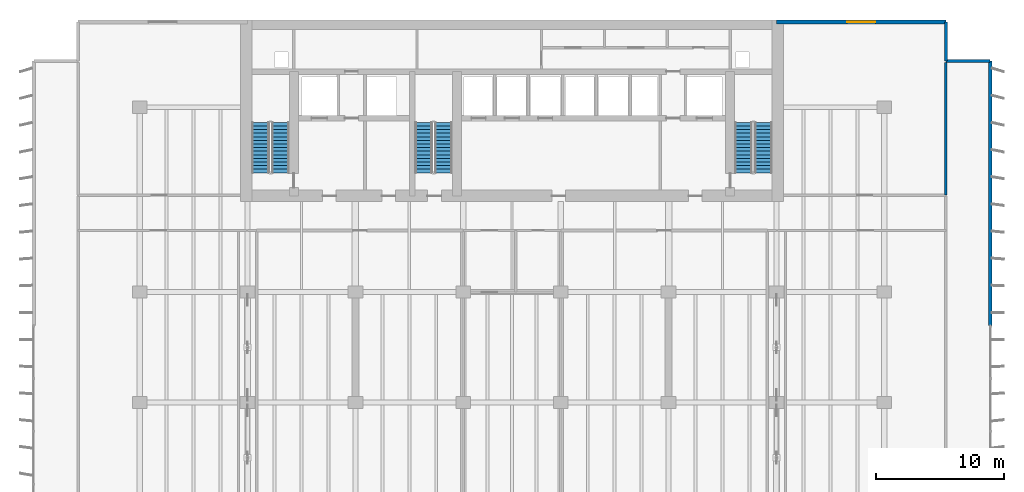
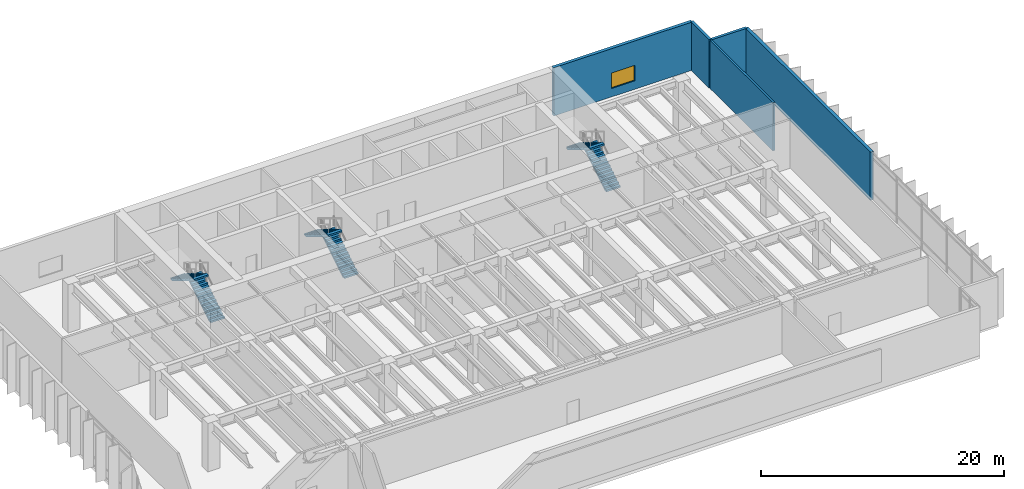
# One storey, part 17 of 21: 6 stair flights, 5 walls, 1 window, 1 opening, 3 elements without a shape of their own.
"""IFC4 building model written with IfcOpenShell, lengths in metres."""

import ifcopenshell
import ifcopenshell.guid

model = None  # the IFC model being written
_history = None  # IfcOwnerHistory: only IFC2X3 demands one
_inside = {}  # id of a spatial element -> (the spatial element, [elements in it])
_under = {}  # id of a project, library or spatial element -> (it, [spatial elements below it])
_declared = {}  # id of a project -> (the project, [libraries it declares])
_typed = {}  # id of a type object -> (the type object, [elements of that type])
_made_of = {}  # id of a material, layer set ... -> (it, [elements and type objects made of it])


def new_model(schema):
    """Start an empty IFC model of exactly this schema.

    Asked for "IFC4X3", IfcOpenShell would pick the latest addendum, in which some entities
    have other attributes; the version numbers below select the first issue.
    IFC2X3 requires an IfcOwnerHistory on every rooted entity: one is made here for all.
    """
    global model, _history
    if schema == "IFC4X3":
        model = ifcopenshell.file(schema_version=(4, 3, 0, 0))
    else:
        model = ifcopenshell.file(schema=schema)
    _inside.clear()
    _under.clear()
    _declared.clear()
    _typed.clear()
    _made_of.clear()
    _history = None
    if model.schema == "IFC2X3":
        org = make("IfcOrganization", Name="unknown")
        user = make(
            "IfcPersonAndOrganization",
            ThePerson=make("IfcPerson", FamilyName="unknown"),
            TheOrganization=org,
        )
        app = make(
            "IfcApplication",
            ApplicationDeveloper=org,
            Version="unknown",
            ApplicationFullName="unknown",
            ApplicationIdentifier="unknown",
        )
        _history = make(
            "IfcOwnerHistory",
            OwningUser=user,
            OwningApplication=app,
            ChangeAction="ADDED",
            CreationDate=0,
        )
    return model


def make(cls, **values):
    """One entity of the class cls with the attributes given. An attribute that is None is left unset."""
    return model.create_entity(
        cls, **{name: value for name, value in values.items() if value is not None}
    )


def rooted(cls, **values):
    """An entity with a GlobalId (a new one), such as an element, a storey or a relation."""
    return make(cls, GlobalId=ifcopenshell.guid.new(), OwnerHistory=_history, **values)


def si_unit(unit_type, name, prefix=None):
    """IfcSIUnit, for example si_unit("LENGTHUNIT", "METRE", prefix="MILLI")."""
    return make("IfcSIUnit", UnitType=unit_type, Prefix=prefix, Name=name)


def assignment(units):
    """IfcUnitAssignment: the units of a project."""
    return None if units is None else make("IfcUnitAssignment", Units=units)


def point(xyz):
    """IfcCartesianPoint."""
    return None if xyz is None else make("IfcCartesianPoint", Coordinates=xyz)


def direction(xyz):
    """IfcDirection."""
    return None if xyz is None else make("IfcDirection", DirectionRatios=xyz)


def frame(location, z_axis=None, x_axis=None):
    """IfcAxis2Placement3D, a coordinate frame: its origin and axes. An axis left out is left unset."""
    return make(
        "IfcAxis2Placement3D",
        Location=point(location),
        Axis=direction(z_axis),
        RefDirection=direction(x_axis),
    )


def frame_2d(location, x_axis=None):
    """IfcAxis2Placement2D, a coordinate frame in the plane: its origin and x axis."""
    return make(
        "IfcAxis2Placement2D", Location=point(location), RefDirection=direction(x_axis)
    )


def origin():
    """The frame at (0, 0, 0) with its axes left unset."""
    return frame((0.0, 0.0, 0.0))


def place(relative_to, where):
    """IfcLocalPlacement: puts the frame where relative to a parent placement (None: the world)."""
    return make(
        "IfcLocalPlacement", PlacementRelTo=relative_to, RelativePlacement=where
    )


def context(
    kind, dimensions, precision=None, world=None, true_north=None, identifier=None
):
    """IfcGeometricRepresentationContext, for example the 3D "Model" context."""
    return make(
        "IfcGeometricRepresentationContext",
        ContextIdentifier=identifier,
        ContextType=kind,
        CoordinateSpaceDimension=dimensions,
        Precision=precision,
        WorldCoordinateSystem=world,
        TrueNorth=true_north,
    )


def subcontext(parent, identifier, kind, view, scale=None):
    """IfcGeometricRepresentationSubContext, for example "Body" below "Model"."""
    return make(
        "IfcGeometricRepresentationSubContext",
        ContextIdentifier=identifier,
        ContextType=kind,
        ParentContext=parent,
        TargetScale=scale,
        TargetView=view,
    )


def project(units=None, contexts=None):
    """IfcProject with its units and contexts."""
    return rooted(
        "IfcProject",
        Name="project",
        RepresentationContexts=contexts,
        UnitsInContext=assignment(units),
    )


def spatial(cls, under=None, at=None, **own):
    """A site, building, storey or space (cls), placed at a placement, below another one or the project."""
    s = rooted(cls, ObjectPlacement=at, **own)
    if under is not None:
        _under.setdefault(under.id(), (under, []))[1].append(s)
    return s


def polyline(points):
    """IfcPolyline through the points."""
    return make("IfcPolyline", Points=[point(p) for p in points])


def profile(cls, at=None, kind="AREA", **sizes):
    """A parametric profile (cls). Its sizes go by their IFC names, for example OverallWidth=200.0."""
    return make(cls, ProfileType=kind, Position=at, **sizes)


def rectangle(**sizes):
    """IfcRectangleProfileDef."""
    return profile("IfcRectangleProfileDef", **sizes)


def outline(outer, holes=None, kind="AREA"):
    """IfcArbitraryClosedProfileDef: a profile drawn as a closed curve; with holes, ...WithVoids."""
    if holes is None:
        return make("IfcArbitraryClosedProfileDef", ProfileType=kind, OuterCurve=outer)
    return make(
        "IfcArbitraryProfileDefWithVoids",
        ProfileType=kind,
        OuterCurve=outer,
        InnerCurves=holes,
    )


def extrude(swept, where, along, depth):
    """IfcExtrudedAreaSolid: the profile swept, set in the frame where, extruded along a direction by depth."""
    return make(
        "IfcExtrudedAreaSolid",
        SweptArea=swept,
        Position=where,
        ExtrudedDirection=direction(along),
        Depth=depth,
    )


def shape(context_of_items, identifier, shape_type, items):
    """IfcShapeRepresentation: the items that make up one representation, for example the "Body"."""
    return make(
        "IfcShapeRepresentation",
        ContextOfItems=context_of_items,
        RepresentationIdentifier=identifier,
        RepresentationType=shape_type,
        Items=items,
    )


def material(Name=None, Category=None):
    """IfcMaterial."""
    return make("IfcMaterial", Name=Name, Category=Category)


def layer(
    of_material, thickness, ventilated=None, Name=None, Category=None, Priority=None
):
    """IfcMaterialLayer: one layer of a wall or slab, of a material (None: an air gap)."""
    return make(
        "IfcMaterialLayer",
        Material=of_material,
        LayerThickness=thickness,
        IsVentilated=ventilated,
        Name=Name,
        Category=Category,
        Priority=Priority,
    )


def layer_set(layers, Name=None):
    """IfcMaterialLayerSet."""
    return make("IfcMaterialLayerSet", MaterialLayers=layers, LayerSetName=Name)


def made_of(thing, what):
    """Note that an element or type object is made of a material, layer set ...; save() writes the relation."""
    if what is not None:
        _made_of.setdefault(what.id(), (what, []))[1].append(thing)
    return thing


def type_object(cls, material=None, **own):
    """A type object (cls), such as IfcWallType, which elements share."""
    return made_of(rooted(cls, **own), material)


def element(
    cls,
    number,
    at=None,
    inside=None,
    cuts=None,
    type_object=None,
    material=None,
    context=None,
    identifier="Body",
    shape_type=None,
    held_by="IfcProductDefinitionShape",
    body=None,
    shapes=None,
    **own,
):
    """One element of the class cls, such as IfcWall. Its Tag is "e" and its number.

    at: its placement. inside: the storey or other place that contains it. cuts: it is an
    opening in that element (IfcRelVoidsElement). A single representation is given by context,
    identifier, shape_type and body (its items); several are given by shapes. held_by: the class
    of the entity that holds the representations. save() writes the other relations.
    """
    e = rooted(cls, Tag="e%d" % number, ObjectPlacement=at, **own)
    if body is not None:
        shapes = [shape(context, identifier, shape_type, body)]
    if shapes is not None:
        e.Representation = make(held_by, Representations=shapes)
    if inside is not None:
        _inside.setdefault(inside.id(), (inside, []))[1].append(e)
    if cuts is not None:
        rooted(
            "IfcRelVoidsElement", RelatingBuildingElement=cuts, RelatedOpeningElement=e
        )
    if type_object is not None:
        _typed.setdefault(type_object.id(), (type_object, []))[1].append(e)
    return made_of(e, material)


def fill(opening, filler):
    """IfcRelFillsElement: the door or window that sits in an opening."""
    return rooted(
        "IfcRelFillsElement",
        RelatingOpeningElement=opening,
        RelatedBuildingElement=filler,
    )


def aggregate(whole, parts):
    """IfcRelAggregates: a whole, such as a stair, and the parts it consists of."""
    return rooted("IfcRelAggregates", RelatingObject=whole, RelatedObjects=parts)


def save(model, path):
    """Write the relations noted so far, then the file.

    IfcRelAggregates (storeys below a building ...), IfcRelContainedInSpatialStructure (elements
    in a storey), IfcRelDefinesByType, IfcRelAssociatesMaterial and IfcRelDeclares: one each for
    every whole, place, type object, material and project.
    """
    for whole, parts in _under.values():
        aggregate(whole, parts)
    for where, things in _inside.values():
        rooted(
            "IfcRelContainedInSpatialStructure",
            RelatedElements=things,
            RelatingStructure=where,
        )
    for kind, things in _typed.values():
        rooted("IfcRelDefinesByType", RelatedObjects=things, RelatingType=kind)
    for what, things in _made_of.values():
        rooted("IfcRelAssociatesMaterial", RelatedObjects=things, RelatingMaterial=what)
    for by, libraries in _declared.values():
        rooted("IfcRelDeclares", RelatingContext=by, RelatedDefinitions=libraries)
    model.write(path)


model = new_model("IFC4")

# Units and contexts
model_context = context("Model", 3, precision=1e-05, world=origin(), true_north=direction((0.0, 1.0)))
body_context = subcontext(model_context, "Body", "Model", "MODEL_VIEW")
ifc_project = project(units=[si_unit("LENGTHUNIT", "METRE"), si_unit("AREAUNIT", "SQUARE_METRE"), si_unit("VOLUMEUNIT", "CUBIC_METRE"), si_unit("PLANEANGLEUNIT", "RADIAN"), si_unit("MASSUNIT", "GRAM", prefix="KILO")], contexts=[model_context])

# Site, building, storey
site_placement = place(None, origin())
site = spatial("IfcSite", under=ifc_project, at=site_placement, CompositionType="ELEMENT")
building_placement = place(site_placement, origin())
building = spatial("IfcBuilding", under=site, at=building_placement, Name="Caelmar Bay Residences", CompositionType="ELEMENT")
storey_placement = place(building_placement, frame((0.0, 0.0, 79.5)))
storey = spatial("IfcBuildingStorey", under=building, at=storey_placement, Name="L21", CompositionType="ELEMENT", Elevation=79.5)

# Walls
ifc_material_1 = material(Name="Double-stud acoustic fire-rated gypsum partition 180 mm")
ifc_layer_1 = layer(ifc_material_1, 0.179931640625)
ifc_layer_set_1 = layer_set([ifc_layer_1], Name="Double-stud acoustic fire-rated gypsum partition 180 mm")
wall_type_1 = type_object("IfcWallType", Name="W-COR-200", PredefinedType="PARTITIONING", material=ifc_layer_set_1)
wall_1_placement = place(storey_placement, frame((72.699951171875, 36.949951171875, 0.0), z_axis=(0.0, 0.0, 1.0), x_axis=(0.0, 1.0, 0.0)))
element("IfcWall", 1, at=wall_1_placement, inside=storey, type_object=wall_type_1, Name="L21 Partition Wall V040", PredefinedType="PARTITIONING", context=body_context, shape_type="SweptSolid", body=[
    extrude(rectangle(XDim=10.330078125, YDim=0.179931640625, at=frame_2d((5.1650390625, 0.0))), origin(), (0.0, 0.0, 1.0), 4.85009765625),
])
ifc_material_2 = material(Name="Precast concrete f'c 40 MPa (6,000 psi)", Category="concrete")
ifc_layer_2 = layer(ifc_material_2, 0.25)
ifc_layer_set_2 = layer_set([ifc_layer_2], Name="Precast concrete f'c 40 MPa (6,000 psi)")
wall_type_2 = type_object("IfcWallType", Name="W-EXT-250", PredefinedType="ELEMENTEDWALL", material=ifc_layer_set_2)
wall_2_placement = place(storey_placement, frame((72.699951171875, 50.449951171875, 0.0), z_axis=(0.0, 0.0, 1.0), x_axis=(0.0, -1.0, 0.0)))
element("IfcWall", 2, at=wall_2_placement, inside=storey, type_object=wall_type_2, Name="L21 NNE-V Notch Wall", PredefinedType="ELEMENTEDWALL", context=body_context, shape_type="SweptSolid", body=[
    extrude(rectangle(XDim=3.050048828125, YDim=0.25, at=frame_2d((1.52490234375, 0.0))), origin(), (0.0, 0.0, 1.0), 4.85009765625),
])
wall_3_placement = place(storey_placement, frame((72.699951171875, 47.39990234375, 0.0), z_axis=(0.0, 0.0, 1.0), x_axis=(1.0, 0.0, 0.0)))
element("IfcWall", 3, at=wall_3_placement, inside=storey, type_object=wall_type_2, Name="L21 NNE-H Notch Wall", PredefinedType="ELEMENTEDWALL", context=body_context, shape_type="SweptSolid", body=[
    extrude(rectangle(XDim=3.449951171875, YDim=0.25, at=frame_2d((1.72509765625, 0.0))), origin(), (0.0, 0.0, 1.0), 4.85009765625),
])
ifc_layer_3 = layer(ifc_material_2, 0.300048828125)
ifc_layer_set_3 = layer_set([ifc_layer_3], Name="Precast concrete f'c 40 MPa (6,000 psi)")
wall_type_3 = type_object("IfcWallType", Name="W-EXT-300", PredefinedType="STANDARD", material=ifc_layer_set_3)
wall_4_placement = place(storey_placement, frame((76.14990234375, 47.39990234375, 0.0), z_axis=(0.0, 0.0, 1.0), x_axis=(0.0, -1.0, 0.0)))
element("IfcWall", 4, at=wall_4_placement, inside=storey, type_object=wall_type_3, Name="L21 East Rear Exterior Wall", PredefinedType="STANDARD", context=body_context, shape_type="SweptSolid", body=[
    extrude(rectangle(XDim=20.599853515625, YDim=0.300048828125, at=frame_2d((10.2998046875, 0.0))), origin(), (0.0, 0.0, 1.0), 4.85009765625),
])

# Wall, opening, window
wall_5_placement = place(storey_placement, frame((59.5, 50.449951171875, 0.0), z_axis=(0.0, 0.0, 1.0), x_axis=(1.0, 0.0, 0.0)))
wall_5 = element("IfcWall", 5, at=wall_5_placement, inside=storey, type_object=wall_type_3, Name="L21 North-East Wing Exterior Wall", PredefinedType="STANDARD", context=body_context, shape_type="SweptSolid", body=[
    extrude(rectangle(XDim=13.199951171875, YDim=0.300048828125, at=frame_2d((6.60009765625, 0.0))), origin(), (0.0, 0.0, 1.0), 4.85009765625),
])
opening_placement = place(wall_5_placement, frame((5.5, 0.0, 0.85009765625)))
opening = element("IfcOpeningElement", 6, at=opening_placement, cuts=wall_5, Name="Opening WN2", PredefinedType="OPENING", context=body_context, shape_type="SweptSolid", body=[
    extrude(rectangle(XDim=2.199951171875, YDim=1.550048828125, at=frame_2d((1.10009765625, 0.77490234375))), frame((0.0, 0.159912109375, 0.0), z_axis=(0.0, -1.0, 0.0), x_axis=(1.0, 0.0, 0.0)), (0.0, 0.0, 1.0), 0.320068359375),
])
ifc_material_3 = material(Name="Bronze aluminium frame with laminated low-E glass", Category="aluminium")
ifc_layer_4 = layer(ifc_material_3, 0.06005859375)
ifc_layer_set_4 = layer_set([ifc_layer_4], Name="Bronze aluminium frame with laminated low-E glass")
window_type = type_object("IfcWindowType", Name="WIN-BR-2200", PartitioningType="SINGLE_PANEL", PredefinedType="WINDOW", material=ifc_layer_set_4)
window_placement = place(opening_placement, origin())
window = element("IfcWindow", 7, at=window_placement, inside=storey, type_object=window_type, Name="L21 North-East Studio Window", OverallHeight=1.550048828125, OverallWidth=2.199951171875, PartitioningType="SINGLE_PANEL", PredefinedType="WINDOW", context=body_context, shape_type="SweptSolid", body=[
    extrude(rectangle(XDim=2.199951171875, YDim=1.550048828125, at=frame_2d((1.10009765625, 0.77490234375))), frame((0.0, 0.030029296875, 0.0), z_axis=(0.0, -1.0, 0.0), x_axis=(1.0, 0.0, 0.0)), (0.0, 0.0, 1.0), 0.06005859375),
])
fill(opening, window)

# Stair, stair flights
ifc_material_4 = material(Name="Concrete f'c 40 MPa (6,000 psi)", Category="concrete")
stair_type = type_object("IfcStairType", Name="ST-TAL-170", PredefinedType="HALF_TURN_STAIR", material=ifc_material_4)
stair_1_placement = place(storey_placement, origin())
stair_1 = element("IfcStair", 8, at=stair_1_placement, inside=storey, type_object=stair_type, Name="L21 West Smokeproof Exit Stair ST1", PredefinedType="HALF_TURN_STAIR")
stair_flight_type = type_object("IfcStairFlightType", Name="STF-1400", PredefinedType="STRAIGHT", material=ifc_material_2)
stair_flight_1_placement = place(storey_placement, frame((20.875, 38.699951171875, 0.0), z_axis=(0.0, 0.0, 1.0), x_axis=(0.0, 1.0, 0.0)))
stair_flight_1 = element("IfcStairFlight", 9, at=stair_flight_1_placement, type_object=stair_flight_type, Name="ST1 flight 1", NumberOfRisers=15, NumberOfTreads=14, PredefinedType="STRAIGHT", RiserHeight=0.17, TreadLength=0.28, context=body_context, shape_type="SweptSolid", body=[
    extrude(outline(polyline([(0.0, 0.0), (0.0, 0.169921875), (0.280029296875, 0.169921875), (0.280029296875, 0.340087890625), (0.56005859375, 0.340087890625), (0.56005859375, 0.510009765625), (0.840087890625, 0.510009765625), (0.840087890625, 0.679931640625), (1.1201171875, 0.679931640625), (1.1201171875, 0.85009765625), (1.39990234375, 0.85009765625), (1.39990234375, 1.02001953125), (1.679931640625, 1.02001953125), (1.679931640625, 1.18994140625), (1.9599609375, 1.18994140625), (1.9599609375, 1.360107421875), (2.239990234375, 1.360107421875), (2.239990234375, 1.530029296875), (2.52001953125, 1.530029296875), (2.52001953125, 1.699951171875), (2.800048828125, 1.699951171875), (2.800048828125, 1.8701171875), (3.080078125, 1.8701171875), (3.080078125, 2.0400390625), (3.360107421875, 2.0400390625), (3.360107421875, 2.2099609375), (3.639892578125, 2.2099609375), (3.639892578125, 2.3798828125), (3.919921875, 2.3798828125), (3.919921875, 2.550048828125), (3.919921875, 2.20458984375), (0.288818359375, 0.0), (0.0, 0.0)])), frame((0.0, 0.675048828125, 0.0), z_axis=(0.0, -1.0, 0.0), x_axis=(1.0, 0.0, 0.0)), (0.0, 0.0, 1.0), 1.35009765625),
])
stair_flight_2_placement = place(storey_placement, frame((19.324951171875, 42.6201171875, 2.550048828125), z_axis=(0.0, 0.0, 1.0), x_axis=(0.0, -1.0, 0.0)))
stair_flight_2 = element("IfcStairFlight", 10, at=stair_flight_2_placement, type_object=stair_flight_type, Name="ST1 flight 2", NumberOfRisers=15, NumberOfTreads=14, PredefinedType="STRAIGHT", RiserHeight=0.17, TreadLength=0.28, context=body_context, shape_type="SweptSolid", body=[
    extrude(outline(polyline([(0.0, 0.0), (0.0, 0.169921875), (0.280029296875, 0.169921875), (0.280029296875, 0.340087890625), (0.56005859375, 0.340087890625), (0.56005859375, 0.510009765625), (0.840087890625, 0.510009765625), (0.840087890625, 0.679931640625), (1.1201171875, 0.679931640625), (1.1201171875, 0.85009765625), (1.39990234375, 0.85009765625), (1.39990234375, 1.02001953125), (1.679931640625, 1.02001953125), (1.679931640625, 1.18994140625), (1.9599609375, 1.18994140625), (1.9599609375, 1.360107421875), (2.239990234375, 1.360107421875), (2.239990234375, 1.530029296875), (2.52001953125, 1.530029296875), (2.52001953125, 1.699951171875), (2.800048828125, 1.699951171875), (2.800048828125, 1.8701171875), (3.080078125, 1.8701171875), (3.080078125, 2.0400390625), (3.360107421875, 2.0400390625), (3.360107421875, 2.2099609375), (3.639892578125, 2.2099609375), (3.639892578125, 2.3798828125), (3.919921875, 2.3798828125), (3.919921875, 2.550048828125), (3.919921875, 2.20458984375), (0.288818359375, 0.0), (0.0, 0.0)])), frame((0.0, 0.675048828125, 0.0), z_axis=(0.0, -1.0, 0.0), x_axis=(1.0, 0.0, 0.0)), (0.0, 0.0, 1.0), 1.35009765625),
])
aggregate(stair_1, [stair_flight_1, stair_flight_2])

stair_2_placement = place(storey_placement, origin())
stair_2 = element("IfcStair", 11, at=stair_2_placement, inside=storey, type_object=stair_type, Name="L21 East Smokeproof Exit Stair ST2", PredefinedType="HALF_TURN_STAIR")
stair_flight_3_placement = place(storey_placement, frame((58.47509765625, 38.699951171875, 0.0), z_axis=(0.0, 0.0, 1.0), x_axis=(0.0, 1.0, 0.0)))
stair_flight_3 = element("IfcStairFlight", 12, at=stair_flight_3_placement, type_object=stair_flight_type, Name="ST2 flight 1", NumberOfRisers=15, NumberOfTreads=14, PredefinedType="STRAIGHT", RiserHeight=0.17, TreadLength=0.28, context=body_context, shape_type="SweptSolid", body=[
    extrude(outline(polyline([(0.0, 0.0), (0.0, 0.169921875), (0.280029296875, 0.169921875), (0.280029296875, 0.340087890625), (0.56005859375, 0.340087890625), (0.56005859375, 0.510009765625), (0.840087890625, 0.510009765625), (0.840087890625, 0.679931640625), (1.1201171875, 0.679931640625), (1.1201171875, 0.85009765625), (1.39990234375, 0.85009765625), (1.39990234375, 1.02001953125), (1.679931640625, 1.02001953125), (1.679931640625, 1.18994140625), (1.9599609375, 1.18994140625), (1.9599609375, 1.360107421875), (2.239990234375, 1.360107421875), (2.239990234375, 1.530029296875), (2.52001953125, 1.530029296875), (2.52001953125, 1.699951171875), (2.800048828125, 1.699951171875), (2.800048828125, 1.8701171875), (3.080078125, 1.8701171875), (3.080078125, 2.0400390625), (3.360107421875, 2.0400390625), (3.360107421875, 2.2099609375), (3.639892578125, 2.2099609375), (3.639892578125, 2.3798828125), (3.919921875, 2.3798828125), (3.919921875, 2.550048828125), (3.919921875, 2.20458984375), (0.288818359375, 0.0), (0.0, 0.0)])), frame((0.0, 0.675048828125, 0.0), z_axis=(0.0, -1.0, 0.0), x_axis=(1.0, 0.0, 0.0)), (0.0, 0.0, 1.0), 1.35009765625),
])
stair_flight_4_placement = place(storey_placement, frame((56.925048828125, 42.6201171875, 2.550048828125), z_axis=(0.0, 0.0, 1.0), x_axis=(0.0, -1.0, 0.0)))
stair_flight_4 = element("IfcStairFlight", 13, at=stair_flight_4_placement, type_object=stair_flight_type, Name="ST2 flight 2", NumberOfRisers=15, NumberOfTreads=14, PredefinedType="STRAIGHT", RiserHeight=0.17, TreadLength=0.28, context=body_context, shape_type="SweptSolid", body=[
    extrude(outline(polyline([(0.0, 0.0), (0.0, 0.169921875), (0.280029296875, 0.169921875), (0.280029296875, 0.340087890625), (0.56005859375, 0.340087890625), (0.56005859375, 0.510009765625), (0.840087890625, 0.510009765625), (0.840087890625, 0.679931640625), (1.1201171875, 0.679931640625), (1.1201171875, 0.85009765625), (1.39990234375, 0.85009765625), (1.39990234375, 1.02001953125), (1.679931640625, 1.02001953125), (1.679931640625, 1.18994140625), (1.9599609375, 1.18994140625), (1.9599609375, 1.360107421875), (2.239990234375, 1.360107421875), (2.239990234375, 1.530029296875), (2.52001953125, 1.530029296875), (2.52001953125, 1.699951171875), (2.800048828125, 1.699951171875), (2.800048828125, 1.8701171875), (3.080078125, 1.8701171875), (3.080078125, 2.0400390625), (3.360107421875, 2.0400390625), (3.360107421875, 2.2099609375), (3.639892578125, 2.2099609375), (3.639892578125, 2.3798828125), (3.919921875, 2.3798828125), (3.919921875, 2.550048828125), (3.919921875, 2.20458984375), (0.288818359375, 0.0), (0.0, 0.0)])), frame((0.0, 0.675048828125, 0.0), z_axis=(0.0, -1.0, 0.0), x_axis=(1.0, 0.0, 0.0)), (0.0, 0.0, 1.0), 1.35009765625),
])
aggregate(stair_2, [stair_flight_3, stair_flight_4])

stair_3_placement = place(storey_placement, origin())
stair_3 = element("IfcStair", 14, at=stair_3_placement, inside=storey, type_object=stair_type, Name="L21 Central Smokeproof Exit Stair ST3", PredefinedType="HALF_TURN_STAIR")
stair_flight_5_placement = place(storey_placement, frame((33.574951171875, 38.699951171875, 0.0), z_axis=(0.0, 0.0, 1.0), x_axis=(0.0, 1.0, 0.0)))
stair_flight_5 = element("IfcStairFlight", 15, at=stair_flight_5_placement, type_object=stair_flight_type, Name="ST3 flight 1", NumberOfRisers=15, NumberOfTreads=14, PredefinedType="STRAIGHT", RiserHeight=0.17, TreadLength=0.28, context=body_context, shape_type="SweptSolid", body=[
    extrude(outline(polyline([(0.0, 0.0), (0.0, 0.169921875), (0.280029296875, 0.169921875), (0.280029296875, 0.340087890625), (0.56005859375, 0.340087890625), (0.56005859375, 0.510009765625), (0.840087890625, 0.510009765625), (0.840087890625, 0.679931640625), (1.1201171875, 0.679931640625), (1.1201171875, 0.85009765625), (1.39990234375, 0.85009765625), (1.39990234375, 1.02001953125), (1.679931640625, 1.02001953125), (1.679931640625, 1.18994140625), (1.9599609375, 1.18994140625), (1.9599609375, 1.360107421875), (2.239990234375, 1.360107421875), (2.239990234375, 1.530029296875), (2.52001953125, 1.530029296875), (2.52001953125, 1.699951171875), (2.800048828125, 1.699951171875), (2.800048828125, 1.8701171875), (3.080078125, 1.8701171875), (3.080078125, 2.0400390625), (3.360107421875, 2.0400390625), (3.360107421875, 2.2099609375), (3.639892578125, 2.2099609375), (3.639892578125, 2.3798828125), (3.919921875, 2.3798828125), (3.919921875, 2.550048828125), (3.919921875, 2.20458984375), (0.288818359375, 0.0), (0.0, 0.0)])), frame((0.0, 0.675048828125, 0.0), z_axis=(0.0, -1.0, 0.0), x_axis=(1.0, 0.0, 0.0)), (0.0, 0.0, 1.0), 1.35009765625),
])
stair_flight_6_placement = place(storey_placement, frame((32.02490234375, 42.6201171875, 2.550048828125), z_axis=(0.0, 0.0, 1.0), x_axis=(0.0, -1.0, 0.0)))
stair_flight_6 = element("IfcStairFlight", 16, at=stair_flight_6_placement, type_object=stair_flight_type, Name="ST3 flight 2", NumberOfRisers=15, NumberOfTreads=14, PredefinedType="STRAIGHT", RiserHeight=0.17, TreadLength=0.28, context=body_context, shape_type="SweptSolid", body=[
    extrude(outline(polyline([(0.0, 0.0), (0.0, 0.169921875), (0.280029296875, 0.169921875), (0.280029296875, 0.340087890625), (0.56005859375, 0.340087890625), (0.56005859375, 0.510009765625), (0.840087890625, 0.510009765625), (0.840087890625, 0.679931640625), (1.1201171875, 0.679931640625), (1.1201171875, 0.85009765625), (1.39990234375, 0.85009765625), (1.39990234375, 1.02001953125), (1.679931640625, 1.02001953125), (1.679931640625, 1.18994140625), (1.9599609375, 1.18994140625), (1.9599609375, 1.360107421875), (2.239990234375, 1.360107421875), (2.239990234375, 1.530029296875), (2.52001953125, 1.530029296875), (2.52001953125, 1.699951171875), (2.800048828125, 1.699951171875), (2.800048828125, 1.8701171875), (3.080078125, 1.8701171875), (3.080078125, 2.0400390625), (3.360107421875, 2.0400390625), (3.360107421875, 2.2099609375), (3.639892578125, 2.2099609375), (3.639892578125, 2.3798828125), (3.919921875, 2.3798828125), (3.919921875, 2.550048828125), (3.919921875, 2.20458984375), (0.288818359375, 0.0), (0.0, 0.0)])), frame((0.0, 0.675048828125, 0.0), z_axis=(0.0, -1.0, 0.0), x_axis=(1.0, 0.0, 0.0)), (0.0, 0.0, 1.0), 1.35009765625),
])
aggregate(stair_3, [stair_flight_5, stair_flight_6])

save(model, "model.ifc")
